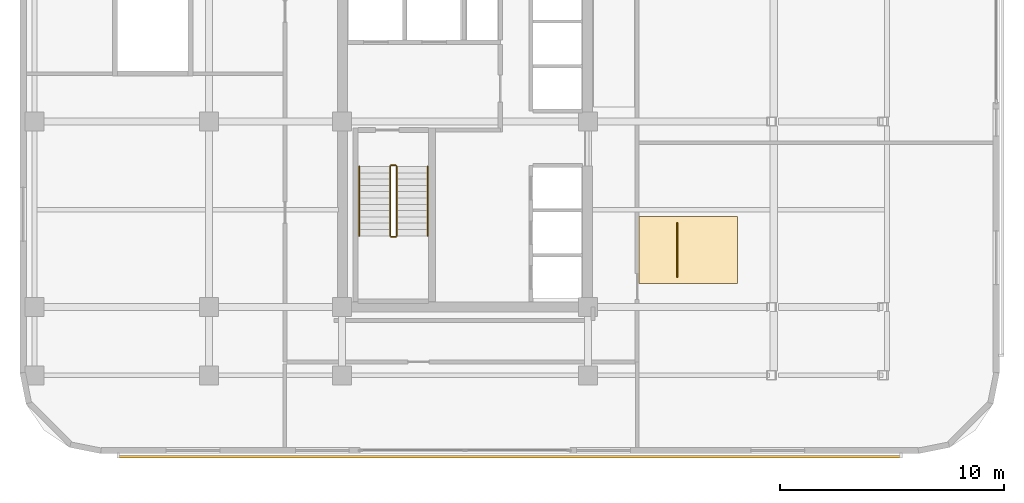
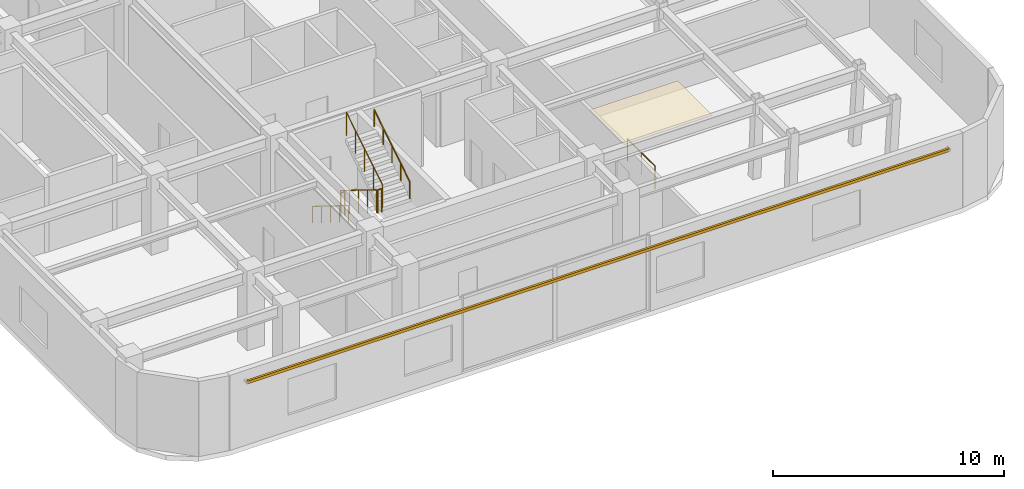
# One storey, part 10 of 13: 7 railings, 1 covering, 1 shading device.
"""IFC4 building model written with IfcOpenShell, lengths in metres."""

from ifc_helpers import new_model, si_unit, direction, frame, origin, origin_2d, place, context, subcontext, project, spatial, polyline, rectangle, circle, outline, extrude, material, layer, layer_set, material_profile, profile_set, type_object, element, save


model = new_model("IFC4")

# Units and contexts
model_context = context("Model", 3, precision=1e-05, world=origin(), true_north=direction((0.0, 1.0)))
body_context = subcontext(model_context, "Body", "Model", "MODEL_VIEW")
ifc_project = project(units=[si_unit("LENGTHUNIT", "METRE"), si_unit("AREAUNIT", "SQUARE_METRE"), si_unit("VOLUMEUNIT", "CUBIC_METRE"), si_unit("PLANEANGLEUNIT", "RADIAN"), si_unit("MASSUNIT", "GRAM", prefix="KILO")], contexts=[model_context])

# Site, building, storey
site_placement = place(None, origin())
site = spatial("IfcSite", under=ifc_project, at=site_placement, CompositionType="ELEMENT")
building_placement = place(site_placement, origin())
building = spatial("IfcBuilding", under=site, at=building_placement, Name="Ochreholt Gables", CompositionType="ELEMENT")
storey_placement = place(building_placement, frame((0.0, 0.0, 98.39990234375)))
storey = spatial("IfcBuildingStorey", under=building, at=storey_placement, Name="L25", CompositionType="ELEMENT", Elevation=98.39990234375)

# Covering
ifc_material_1 = material(Name="Mineral Fibre Acoustic Ceiling Tile", Category="gypsum")
ifc_layer = layer(ifc_material_1, 0.034912109375, Name="Mineral Fibre Acoustic Ceiling Tile")
ifc_layer_set = layer_set([ifc_layer], Name="Mineral Fibre Acoustic Ceiling Tile")
covering_type = type_object("IfcCoveringType", Name="COV-CEIL-AC", PredefinedType="CEILING", material=ifc_layer_set)
covering_placement = place(storey_placement, frame((0.0, 0.0, 3.080078125)))
element("IfcCovering", 1, at=covering_placement, inside=storey, type_object=covering_type, Name="L25 Suspended Acoustic Ceiling", PredefinedType="CEILING", context=body_context, shape_type="SweptSolid", body=[
    extrude(outline(polyline([(37.489990234375, 10.300048828125), (41.889892578125, 10.300048828125), (41.889892578125, 13.300048828125), (37.489990234375, 13.300048828125), (37.489990234375, 10.300048828125)])), origin(), (0.0, 0.0, 1.0), 0.034912109375),
])

# Railings
ifc_material_2 = material(Name="Laminated Glass and Bronze Interior Balustrade", Category="glass")
railing_type_1 = type_object("IfcRailingType", Name="RL-INT-BAL", PredefinedType="BALUSTRADE", material=ifc_material_2)
railing_1_placement = place(storey_placement, frame((39.199951171875, 10.60009765625, 0.0)))
element("IfcRailing", 2, at=railing_1_placement, inside=storey, type_object=railing_type_1, Name="L25 Gallery Balustrade", PredefinedType="BALUSTRADE", context=body_context, shape_type="SweptSolid", body=[
    extrude(circle(Radius=0.02392578125, at=origin_2d()), frame((0.0, 0.0, 1.17578125), z_axis=(0.0, 1.0, 0.0), x_axis=(-1.0, 0.0, 0.0)), (0.0, 0.0, 1.0), 2.39990234375),
    extrude(circle(Radius=0.02099609375, at=origin_2d()), origin(), (0.0, 0.0, 1.0), 1.15185546875),
    extrude(circle(Radius=0.02099609375, at=origin_2d()), frame((0.0, 1.199951171875, 0.0)), (0.0, 0.0, 1.0), 1.15185546875),
    extrude(circle(Radius=0.02099609375, at=origin_2d()), frame((0.0, 2.39990234375, 0.0)), (0.0, 0.0, 1.0), 1.15185546875),
])
ifc_material_3 = material(Name="Painted Steel Stair Guardrail", Category="steel")
railing_type_2 = type_object("IfcRailingType", Name="RL-ST-GUARD", PredefinedType="GUARDRAIL", material=ifc_material_3)
railing_2_placement = place(storey_placement, frame((26.35009765625, 15.5400390625, 0.175048828125)))
element("IfcRailing", 3, at=railing_2_placement, inside=storey, type_object=railing_type_2, Name="L25 ST-1 stair guard 1", PredefinedType="GUARDRAIL", context=body_context, shape_type="SweptSolid", body=[
    extrude(circle(Radius=0.02392578125, at=origin_2d()), frame((0.0, 0.0, 1.22607421875), z_axis=(0.0, -0.849684591916, 0.527291280281), x_axis=(1.0, 0.0, 0.0)), (0.0, 0.0, 1.0), 3.65087890625),
    extrude(circle(Radius=0.02099609375, at=origin_2d()), origin(), (0.0, 0.0, 1.0), 1.201904296875),
    extrude(circle(Radius=0.02099609375, at=origin_2d()), frame((0.0, -0.775390625, 0.481201171875)), (0.0, 0.0, 1.0), 1.201904296875),
    extrude(circle(Radius=0.02099609375, at=origin_2d()), frame((0.0, -1.551025390625, 0.96240234375)), (0.0, 0.0, 1.0), 1.201904296875),
    extrude(circle(Radius=0.02099609375, at=origin_2d()), frame((0.0, -2.32666015625, 1.44384765625)), (0.0, 0.0, 1.0), 1.201904296875),
    extrude(circle(Radius=0.02099609375, at=origin_2d()), frame((0.0, -3.10205078125, 1.925048828125)), (0.0, 0.0, 1.0), 1.201904296875),
])
railing_3_placement = place(storey_placement, frame((26.39990234375, 12.387939453125, 2.10009765625)))
element("IfcRailing", 4, at=railing_3_placement, inside=storey, type_object=railing_type_2, Name="L25 ST-1 stair guard 2", PredefinedType="GUARDRAIL", context=body_context, shape_type="SweptSolid", body=[
    extrude(circle(Radius=0.02392578125, at=origin_2d()), frame((0.0, 0.0, 1.22607421875), z_axis=(1.0, 0.0, 0.0), x_axis=(0.0, 1.0, 0.0)), (0.0, 0.0, 1.0), 0.2001953125),
    extrude(circle(Radius=0.02099609375, at=origin_2d()), origin(), (0.0, 0.0, 1.0), 1.201904296875),
    extrude(circle(Radius=0.02099609375, at=origin_2d()), frame((0.2001953125, 0.0, 0.0)), (0.0, 0.0, 1.0), 1.201904296875),
])
railing_4_placement = place(storey_placement, frame((26.64990234375, 12.43798828125, 2.275146484375)))
element("IfcRailing", 5, at=railing_4_placement, inside=storey, type_object=railing_type_2, Name="L25 ST-1 stair guard 3", PredefinedType="GUARDRAIL", context=body_context, shape_type="SweptSolid", body=[
    extrude(circle(Radius=0.02392578125, at=origin_2d()), frame((0.0, 0.0, 1.22607421875), z_axis=(0.0, 0.849684591916, 0.527291280281), x_axis=(-1.0, 0.0, 0.0)), (0.0, 0.0, 1.0), 3.65087890625),
    extrude(circle(Radius=0.02099609375, at=origin_2d()), origin(), (0.0, 0.0, 1.0), 1.201904296875),
    extrude(circle(Radius=0.02099609375, at=origin_2d()), frame((0.0, 0.775390625, 0.481201171875)), (0.0, 0.0, 1.0), 1.201904296875),
    extrude(circle(Radius=0.02099609375, at=origin_2d()), frame((0.0, 1.551025390625, 0.96240234375)), (0.0, 0.0, 1.0), 1.201904296875),
    extrude(circle(Radius=0.02099609375, at=origin_2d()), frame((0.0, 2.32666015625, 1.44384765625)), (0.0, 0.0, 1.0), 1.201904296875),
    extrude(circle(Radius=0.02099609375, at=origin_2d()), frame((0.0, 3.10205078125, 1.925048828125)), (0.0, 0.0, 1.0), 1.201904296875),
])
railing_5_placement = place(storey_placement, frame((26.39990234375, 15.590087890625, 0.0)))
element("IfcRailing", 6, at=railing_5_placement, inside=storey, type_object=railing_type_2, Name="L25 ST-1 stair guard 4", PredefinedType="GUARDRAIL", context=body_context, shape_type="SweptSolid", body=[
    extrude(circle(Radius=0.02392578125, at=origin_2d()), frame((0.0, 0.0, 1.22607421875), z_axis=(1.0, 0.0, 0.0), x_axis=(0.0, 1.0, 0.0)), (0.0, 0.0, 1.0), 0.2001953125),
    extrude(circle(Radius=0.02099609375, at=origin_2d()), origin(), (0.0, 0.0, 1.0), 1.201904296875),
    extrude(circle(Radius=0.02099609375, at=origin_2d()), frame((0.2001953125, 0.0, 0.0)), (0.0, 0.0, 1.0), 1.201904296875),
])
ifc_material_4 = material(Name="Brushed Stainless Steel Wall Handrail", Category="steel")
railing_type_3 = type_object("IfcRailingType", Name="RL-ST-HAND", PredefinedType="HANDRAIL", material=ifc_material_4)
railing_6_placement = place(storey_placement, frame((24.969970703125, 15.5400390625, 0.175048828125)))
element("IfcRailing", 7, at=railing_6_placement, inside=storey, type_object=railing_type_3, Name="L25 ST-1 stair handrail 1", PredefinedType="HANDRAIL", context=body_context, shape_type="SweptSolid", body=[
    extrude(circle(Radius=0.02392578125, at=origin_2d()), frame((0.0, 0.0, 0.8759765625), z_axis=(0.0, -0.849684591916, 0.527291280281), x_axis=(1.0, 0.0, 0.0)), (0.0, 0.0, 1.0), 3.65087890625),
    extrude(circle(Radius=0.02099609375, at=origin_2d()), origin(), (0.0, 0.0, 1.0), 0.851806640625),
    extrude(circle(Radius=0.02099609375, at=origin_2d()), frame((0.0, -0.775390625, 0.481201171875)), (0.0, 0.0, 1.0), 0.851806640625),
    extrude(circle(Radius=0.02099609375, at=origin_2d()), frame((0.0, -1.551025390625, 0.96240234375)), (0.0, 0.0, 1.0), 0.851806640625),
    extrude(circle(Radius=0.02099609375, at=origin_2d()), frame((0.0, -2.32666015625, 1.44384765625)), (0.0, 0.0, 1.0), 0.851806640625),
    extrude(circle(Radius=0.02099609375, at=origin_2d()), frame((0.0, -3.10205078125, 1.925048828125)), (0.0, 0.0, 1.0), 0.851806640625),
])
railing_7_placement = place(storey_placement, frame((28.030029296875, 12.43798828125, 2.275146484375)))
element("IfcRailing", 8, at=railing_7_placement, inside=storey, type_object=railing_type_3, Name="L25 ST-1 stair handrail 2", PredefinedType="HANDRAIL", context=body_context, shape_type="SweptSolid", body=[
    extrude(circle(Radius=0.02392578125, at=origin_2d()), frame((0.0, 0.0, 0.8759765625), z_axis=(0.0, 0.849684591916, 0.527291280281), x_axis=(-1.0, 0.0, 0.0)), (0.0, 0.0, 1.0), 3.65087890625),
    extrude(circle(Radius=0.02099609375, at=origin_2d()), origin(), (0.0, 0.0, 1.0), 0.851806640625),
    extrude(circle(Radius=0.02099609375, at=origin_2d()), frame((0.0, 0.775390625, 0.481201171875)), (0.0, 0.0, 1.0), 0.851806640625),
    extrude(circle(Radius=0.02099609375, at=origin_2d()), frame((0.0, 1.551025390625, 0.96240234375)), (0.0, 0.0, 1.0), 0.851806640625),
    extrude(circle(Radius=0.02099609375, at=origin_2d()), frame((0.0, 2.32666015625, 1.44384765625)), (0.0, 0.0, 1.0), 0.851806640625),
    extrude(circle(Radius=0.02099609375, at=origin_2d()), frame((0.0, 3.10205078125, 1.925048828125)), (0.0, 0.0, 1.0), 0.851806640625),
])

# Shading device
ifc_material_5 = material(Name="Warm Ochre Glazed Terracotta Baguette", Category="masonry")
ifc_material_profile = material_profile(ifc_material_5, rectangle(XDim=0.110107421875, YDim=0.14990234375, at=origin_2d()), Name="TCBAG110X150")
ifc_profile_set = profile_set([ifc_material_profile], Name="Warm Ochre Glazed Terracotta Baguette")
shading_device_type = type_object("IfcShadingDeviceType", Name="SHD-BAGUETTE", PredefinedType="USERDEFINED", material=ifc_profile_set)
shading_device_placement = place(storey_placement, frame((14.199951171875, 2.550048828125, 3.440185546875), z_axis=(1.0, 0.0, 0.0), x_axis=(0.0, 1.0, 0.0)))
element("IfcShadingDevice", 9, at=shading_device_placement, inside=storey, type_object=shading_device_type, Name="L25 Terracotta Baguette Screen S-1", ObjectType="BAGUETTE", PredefinedType="USERDEFINED", context=body_context, shape_type="SweptSolid", body=[
    extrude(rectangle(XDim=0.110107421875, YDim=0.14990234375, at=origin_2d()), origin(), (0.0, 0.0, 1.0), 35.0),
])

save(model, "model.ifc")
